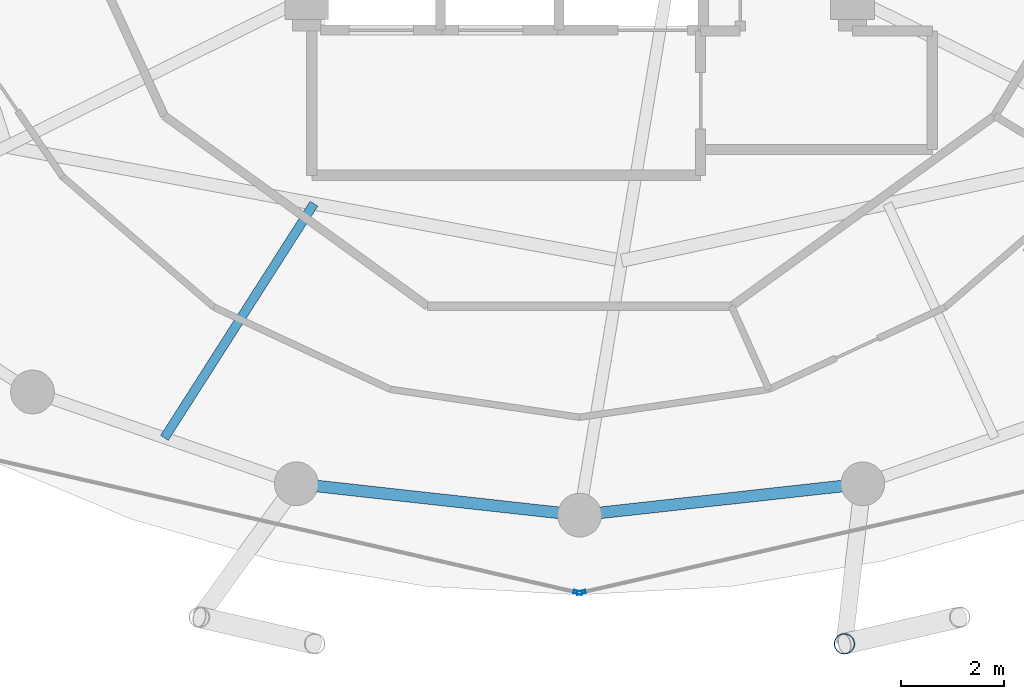
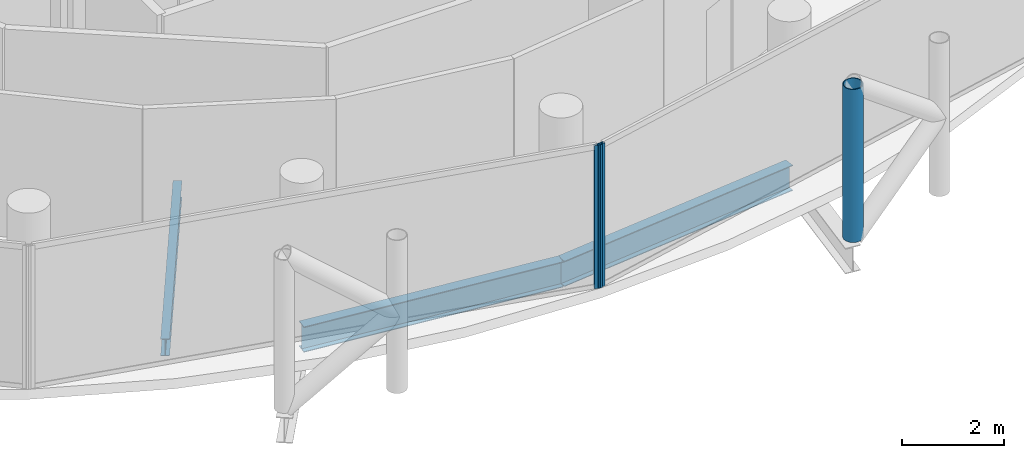
# One storey, part 5 of 27: 3 beams, 3 members, 2 elements without a shape of their own.
"""IFC4 building model written with IfcOpenShell, lengths in metres."""

import ifcopenshell
import ifcopenshell.guid

model = None  # the IFC model being written
_history = None  # IfcOwnerHistory: only IFC2X3 demands one
_inside = {}  # id of a spatial element -> (the spatial element, [elements in it])
_under = {}  # id of a project, library or spatial element -> (it, [spatial elements below it])
_declared = {}  # id of a project -> (the project, [libraries it declares])
_typed = {}  # id of a type object -> (the type object, [elements of that type])
_made_of = {}  # id of a material, layer set ... -> (it, [elements and type objects made of it])


def new_model(schema):
    """Start an empty IFC model of exactly this schema.

    Asked for "IFC4X3", IfcOpenShell would pick the latest addendum, in which some entities
    have other attributes; the version numbers below select the first issue.
    IFC2X3 requires an IfcOwnerHistory on every rooted entity: one is made here for all.
    """
    global model, _history
    if schema == "IFC4X3":
        model = ifcopenshell.file(schema_version=(4, 3, 0, 0))
    else:
        model = ifcopenshell.file(schema=schema)
    _inside.clear()
    _under.clear()
    _declared.clear()
    _typed.clear()
    _made_of.clear()
    _history = None
    if model.schema == "IFC2X3":
        org = make("IfcOrganization", Name="unknown")
        user = make(
            "IfcPersonAndOrganization",
            ThePerson=make("IfcPerson", FamilyName="unknown"),
            TheOrganization=org,
        )
        app = make(
            "IfcApplication",
            ApplicationDeveloper=org,
            Version="unknown",
            ApplicationFullName="unknown",
            ApplicationIdentifier="unknown",
        )
        _history = make(
            "IfcOwnerHistory",
            OwningUser=user,
            OwningApplication=app,
            ChangeAction="ADDED",
            CreationDate=0,
        )
    return model


def make(cls, **values):
    """One entity of the class cls with the attributes given. An attribute that is None is left unset."""
    return model.create_entity(
        cls, **{name: value for name, value in values.items() if value is not None}
    )


def rooted(cls, **values):
    """An entity with a GlobalId (a new one), such as an element, a storey or a relation."""
    return make(cls, GlobalId=ifcopenshell.guid.new(), OwnerHistory=_history, **values)


def si_unit(unit_type, name, prefix=None):
    """IfcSIUnit, for example si_unit("LENGTHUNIT", "METRE", prefix="MILLI")."""
    return make("IfcSIUnit", UnitType=unit_type, Prefix=prefix, Name=name)


def assignment(units):
    """IfcUnitAssignment: the units of a project."""
    return None if units is None else make("IfcUnitAssignment", Units=units)


def point(xyz):
    """IfcCartesianPoint."""
    return None if xyz is None else make("IfcCartesianPoint", Coordinates=xyz)


def direction(xyz):
    """IfcDirection."""
    return None if xyz is None else make("IfcDirection", DirectionRatios=xyz)


def frame(location, z_axis=None, x_axis=None):
    """IfcAxis2Placement3D, a coordinate frame: its origin and axes. An axis left out is left unset."""
    return make(
        "IfcAxis2Placement3D",
        Location=point(location),
        Axis=direction(z_axis),
        RefDirection=direction(x_axis),
    )


def frame_2d(location, x_axis=None):
    """IfcAxis2Placement2D, a coordinate frame in the plane: its origin and x axis."""
    return make(
        "IfcAxis2Placement2D", Location=point(location), RefDirection=direction(x_axis)
    )


def origin():
    """The frame at (0, 0, 0) with its axes left unset."""
    return frame((0.0, 0.0, 0.0))


def origin_2d():
    """The frame at (0, 0) in the plane with its x axis left unset."""
    return frame_2d((0.0, 0.0))


def place(relative_to, where):
    """IfcLocalPlacement: puts the frame where relative to a parent placement (None: the world)."""
    return make(
        "IfcLocalPlacement", PlacementRelTo=relative_to, RelativePlacement=where
    )


def context(
    kind, dimensions, precision=None, world=None, true_north=None, identifier=None
):
    """IfcGeometricRepresentationContext, for example the 3D "Model" context."""
    return make(
        "IfcGeometricRepresentationContext",
        ContextIdentifier=identifier,
        ContextType=kind,
        CoordinateSpaceDimension=dimensions,
        Precision=precision,
        WorldCoordinateSystem=world,
        TrueNorth=true_north,
    )


def subcontext(parent, identifier, kind, view, scale=None):
    """IfcGeometricRepresentationSubContext, for example "Body" below "Model"."""
    return make(
        "IfcGeometricRepresentationSubContext",
        ContextIdentifier=identifier,
        ContextType=kind,
        ParentContext=parent,
        TargetScale=scale,
        TargetView=view,
    )


def project(units=None, contexts=None):
    """IfcProject with its units and contexts."""
    return rooted(
        "IfcProject",
        Name="project",
        RepresentationContexts=contexts,
        UnitsInContext=assignment(units),
    )


def spatial(cls, under=None, at=None, **own):
    """A site, building, storey or space (cls), placed at a placement, below another one or the project."""
    s = rooted(cls, ObjectPlacement=at, **own)
    if under is not None:
        _under.setdefault(under.id(), (under, []))[1].append(s)
    return s


def profile(cls, at=None, kind="AREA", **sizes):
    """A parametric profile (cls). Its sizes go by their IFC names, for example OverallWidth=200.0."""
    return make(cls, ProfileType=kind, Position=at, **sizes)


def hollow_rectangle(**sizes):
    """IfcRectangleHollowProfileDef."""
    return profile("IfcRectangleHollowProfileDef", **sizes)


def hollow_circle(**sizes):
    """IfcCircleHollowProfileDef."""
    return profile("IfcCircleHollowProfileDef", **sizes)


def i_section(**sizes):
    """IfcIShapeProfileDef."""
    return profile("IfcIShapeProfileDef", **sizes)


def extrude(swept, where, along, depth):
    """IfcExtrudedAreaSolid: the profile swept, set in the frame where, extruded along a direction by depth."""
    return make(
        "IfcExtrudedAreaSolid",
        SweptArea=swept,
        Position=where,
        ExtrudedDirection=direction(along),
        Depth=depth,
    )


def shape(context_of_items, identifier, shape_type, items):
    """IfcShapeRepresentation: the items that make up one representation, for example the "Body"."""
    return make(
        "IfcShapeRepresentation",
        ContextOfItems=context_of_items,
        RepresentationIdentifier=identifier,
        RepresentationType=shape_type,
        Items=items,
    )


def material(Name=None, Category=None):
    """IfcMaterial."""
    return make("IfcMaterial", Name=Name, Category=Category)


def layer(
    of_material, thickness, ventilated=None, Name=None, Category=None, Priority=None
):
    """IfcMaterialLayer: one layer of a wall or slab, of a material (None: an air gap)."""
    return make(
        "IfcMaterialLayer",
        Material=of_material,
        LayerThickness=thickness,
        IsVentilated=ventilated,
        Name=Name,
        Category=Category,
        Priority=Priority,
    )


def layer_set(layers, Name=None):
    """IfcMaterialLayerSet."""
    return make("IfcMaterialLayerSet", MaterialLayers=layers, LayerSetName=Name)


def material_profile(
    of_material, cross_section, Name=None, Category=None, Priority=None
):
    """IfcMaterialProfile: a cross section and its material."""
    return make(
        "IfcMaterialProfile",
        Name=Name,
        Material=of_material,
        Profile=cross_section,
        Priority=Priority,
        Category=Category,
    )


def profile_set(profiles, Name=None, composite=None):
    """IfcMaterialProfileSet."""
    return make(
        "IfcMaterialProfileSet",
        Name=Name,
        MaterialProfiles=profiles,
        CompositeProfile=composite,
    )


def made_of(thing, what):
    """Note that an element or type object is made of a material, layer set ...; save() writes the relation."""
    if what is not None:
        _made_of.setdefault(what.id(), (what, []))[1].append(thing)
    return thing


def type_object(cls, material=None, **own):
    """A type object (cls), such as IfcWallType, which elements share."""
    return made_of(rooted(cls, **own), material)


def element(
    cls,
    number,
    at=None,
    inside=None,
    cuts=None,
    type_object=None,
    material=None,
    context=None,
    identifier="Body",
    shape_type=None,
    held_by="IfcProductDefinitionShape",
    body=None,
    shapes=None,
    **own,
):
    """One element of the class cls, such as IfcWall. Its Tag is "e" and its number.

    at: its placement. inside: the storey or other place that contains it. cuts: it is an
    opening in that element (IfcRelVoidsElement). A single representation is given by context,
    identifier, shape_type and body (its items); several are given by shapes. held_by: the class
    of the entity that holds the representations. save() writes the other relations.
    """
    e = rooted(cls, Tag="e%d" % number, ObjectPlacement=at, **own)
    if body is not None:
        shapes = [shape(context, identifier, shape_type, body)]
    if shapes is not None:
        e.Representation = make(held_by, Representations=shapes)
    if inside is not None:
        _inside.setdefault(inside.id(), (inside, []))[1].append(e)
    if cuts is not None:
        rooted(
            "IfcRelVoidsElement", RelatingBuildingElement=cuts, RelatedOpeningElement=e
        )
    if type_object is not None:
        _typed.setdefault(type_object.id(), (type_object, []))[1].append(e)
    return made_of(e, material)


def aggregate(whole, parts):
    """IfcRelAggregates: a whole, such as a stair, and the parts it consists of."""
    return rooted("IfcRelAggregates", RelatingObject=whole, RelatedObjects=parts)


def save(model, path):
    """Write the relations noted so far, then the file.

    IfcRelAggregates (storeys below a building ...), IfcRelContainedInSpatialStructure (elements
    in a storey), IfcRelDefinesByType, IfcRelAssociatesMaterial and IfcRelDeclares: one each for
    every whole, place, type object, material and project.
    """
    for whole, parts in _under.values():
        aggregate(whole, parts)
    for where, things in _inside.values():
        rooted(
            "IfcRelContainedInSpatialStructure",
            RelatedElements=things,
            RelatingStructure=where,
        )
    for kind, things in _typed.values():
        rooted("IfcRelDefinesByType", RelatedObjects=things, RelatingType=kind)
    for what, things in _made_of.values():
        rooted("IfcRelAssociatesMaterial", RelatedObjects=things, RelatingMaterial=what)
    for by, libraries in _declared.values():
        rooted("IfcRelDeclares", RelatingContext=by, RelatedDefinitions=libraries)
    model.write(path)


model = new_model("IFC4")

# Units and contexts
model_context = context("Model", 3, precision=1e-05, world=origin(), true_north=direction((0.0, 1.0)))
body_context = subcontext(model_context, "Body", "Model", "MODEL_VIEW")
ifc_project = project(units=[si_unit("LENGTHUNIT", "METRE"), si_unit("AREAUNIT", "SQUARE_METRE"), si_unit("VOLUMEUNIT", "CUBIC_METRE"), si_unit("PLANEANGLEUNIT", "RADIAN"), si_unit("MASSUNIT", "GRAM", prefix="KILO")], contexts=[model_context])

# Site, building, storey
site_placement = place(None, origin())
site = spatial("IfcSite", under=ifc_project, at=site_placement, CompositionType="ELEMENT")
building_placement = place(site_placement, origin())
building = spatial("IfcBuilding", under=site, at=building_placement, Name="Nuhasar Tower", CompositionType="ELEMENT")
storey_placement = place(building_placement, frame((0.0, 0.0, 208.14990234375)))
storey = spatial("IfcBuildingStorey", under=building, at=storey_placement, Name="L50", CompositionType="ELEMENT", Elevation=208.14990234375)

# Beams
ifc_material_1 = material(Name="Steel S355", Category="steel")
ifc_material_profile_1 = material_profile(ifc_material_1, i_section(OverallWidth=0.177978515625, OverallDepth=0.406005859375, WebThickness=0.0078125, FlangeThickness=0.0126953125, at=origin_2d()), Name="W16X40")
ifc_profile_set_1 = profile_set([ifc_material_profile_1], Name="Steel S355")
beam_type_1 = type_object("IfcBeamType", Name="BM-JST-W16X40", PredefinedType="JOIST", material=ifc_profile_set_1)
beam_placement = place(storey_placement, frame((33.842041015625, 14.998046875, -0.44287109375), z_axis=(-0.538168818546, -0.842837067733, 0.0), x_axis=(0.842837067733, -0.538168818546, 0.0)))
element("IfcBeam", 1, at=beam_placement, inside=storey, type_object=beam_type_1, Name="L50 Secondary Floor Joist 01", PredefinedType="JOIST", context=body_context, shape_type="SweptSolid", body=[
    extrude(i_section(OverallWidth=0.177978515625, OverallDepth=0.406005859375, WebThickness=0.0078125, FlangeThickness=0.0126953125, at=origin_2d()), origin(), (0.0, 0.0, 1.0), 5.396240234375),
])
ifc_material_profile_2 = material_profile(ifc_material_1, i_section(OverallWidth=0.22802734375, OverallDepth=0.60791015625, WebThickness=0.01123046875, FlangeThickness=0.017333984375, at=origin_2d()), Name="W24X76")
ifc_profile_set_2 = profile_set([ifc_material_profile_2], Name="Steel S355")
beam_type_2 = type_object("IfcBeamType", Name="BM-RING-W24X76", PredefinedType="SPANDREL", material=ifc_profile_set_2)
for number, where, z_axis, x_axis, name in (
    (2, (33.5, 9.55810546875, -0.5439453125), (0.993942242238, -0.109903680993, 0.0), (0.109903680993, 0.993942242238, 0.0), "L50 Perimeter Ring Spandrel 18"),
    (3, (39.0, 8.949951171875, -0.5439453125), (0.993942242238, 0.109903680993, 0.0), (-0.109903680993, 0.993942242238, 0.0), "L50 Perimeter Ring Spandrel 19"),
):
    element("IfcBeam", number, at=place(storey_placement, frame(where, z_axis=z_axis, x_axis=x_axis)), inside=storey, type_object=beam_type_2, Name=name, PredefinedType="SPANDREL", context=body_context, shape_type="SweptSolid", body=[
        extrude(i_section(OverallWidth=0.22802734375, OverallDepth=0.60791015625, WebThickness=0.01123046875, FlangeThickness=0.017333984375, at=origin_2d()), origin(), (0.0, 0.0, 1.0), 5.533447265625),
    ])

# Curtain wall, member
ifc_material_2 = material(Name="Aluminium 6063-T6", Category="aluminium")
ifc_layer = layer(ifc_material_2, 0.18994140625)
ifc_layer_set = layer_set([ifc_layer], Name="Aluminium 6063-T6")
curtain_wall_type = type_object("IfcCurtainWallType", Name="CW-Z3-RES", PredefinedType="NOTDEFINED", material=ifc_layer_set)
curtain_wall_1_placement = place(storey_placement, origin())
curtain_wall_1 = element("IfcCurtainWall", 4, at=curtain_wall_1_placement, inside=storey, type_object=curtain_wall_type, Name="L50 Unitised Curtain Wall 09", PredefinedType="NOTDEFINED")
ifc_material_profile_3 = material_profile(ifc_material_2, hollow_rectangle(XDim=0.06494140625, YDim=0.169921875, WallThickness=0.0048828125, at=origin_2d()), Name="CWM-4")
ifc_profile_set_3 = profile_set([ifc_material_profile_3], Name="Aluminium 6063-T6")
member_type_1 = type_object("IfcMemberType", Name="CW-MUL-S4", PredefinedType="MULLION", material=ifc_profile_set_3)
member_1_placement = place(storey_placement, frame((38.96826171875, 7.447265625, 0.0), z_axis=(0.0, 0.0, 1.0), x_axis=(0.222243176313, 0.974991266926, 0.0)))
member_1 = element("IfcMember", 5, at=member_1_placement, type_object=member_type_1, Name="CW-Z3 mullion 2", PredefinedType="MULLION", context=body_context, shape_type="SweptSolid", body=[
    extrude(hollow_rectangle(XDim=0.06494140625, YDim=0.169921875, WallThickness=0.0048828125, at=origin_2d()), origin(), (0.0, 0.0, 1.0), 3.41015625),
])
aggregate(curtain_wall_1, [member_1])

curtain_wall_2_placement = place(storey_placement, origin())
curtain_wall_2 = element("IfcCurtainWall", 6, at=curtain_wall_2_placement, inside=storey, type_object=curtain_wall_type, Name="L50 Unitised Curtain Wall 10", PredefinedType="NOTDEFINED")
member_2_placement = place(storey_placement, frame((39.03173828125, 7.447265625, 0.0), z_axis=(0.0, 0.0, 1.0), x_axis=(-0.222243176313, 0.974991266926, 0.0)))
member_2 = element("IfcMember", 7, at=member_2_placement, type_object=member_type_1, Name="CW-Z3 mullion 1", PredefinedType="MULLION", context=body_context, shape_type="SweptSolid", body=[
    extrude(hollow_rectangle(XDim=0.06494140625, YDim=0.169921875, WallThickness=0.0048828125, at=origin_2d()), origin(), (0.0, 0.0, 1.0), 3.41015625),
])
aggregate(curtain_wall_2, [member_2])

# Member
ifc_material_3 = material(Name="Steel S460", Category="steel")
ifc_material_profile_4 = material_profile(ifc_material_3, hollow_circle(Radius=0.203125, WallThickness=0.01904296875, at=origin_2d()), Name="HSS406.4X19.1")
ifc_profile_set_4 = profile_set([ifc_material_profile_4], Name="Steel S460")
member_type_2 = type_object("IfcMemberType", Name="EXO-BRONZE-406", PredefinedType="BRACE", material=ifc_profile_set_4)
member_3_placement = place(storey_placement, frame((44.14306640625, 6.450927734375, 0.0), z_axis=(0.0, 0.0, 1.0), x_axis=(1.0, 0.0, 0.0)))
element("IfcMember", 8, at=member_3_placement, inside=storey, type_object=member_type_2, Name="L50 Exoskeleton Chord Column EC-10A", PredefinedType="BRACE", context=body_context, shape_type="SweptSolid", body=[
    extrude(hollow_circle(Radius=0.203125, WallThickness=0.01904296875, at=origin_2d()), origin(), (0.0, 0.0, 1.0), 3.650146484375),
])

save(model, "model.ifc")
